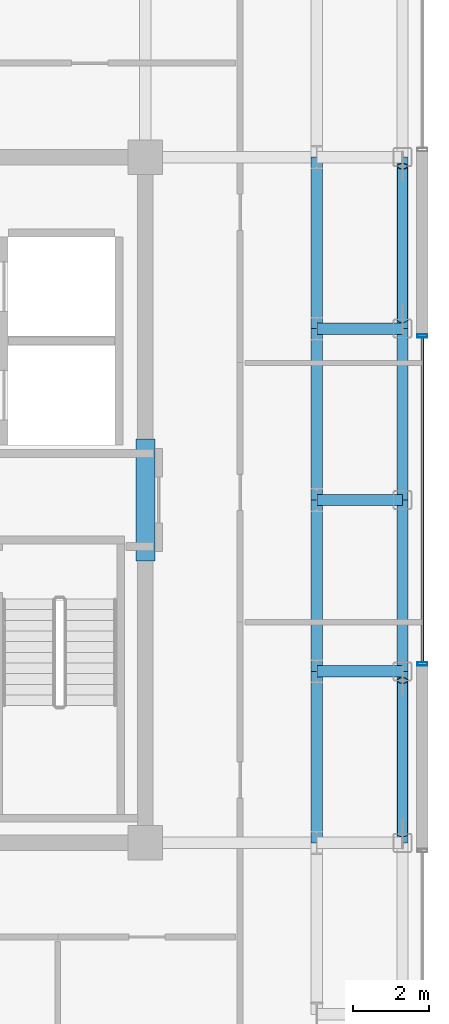
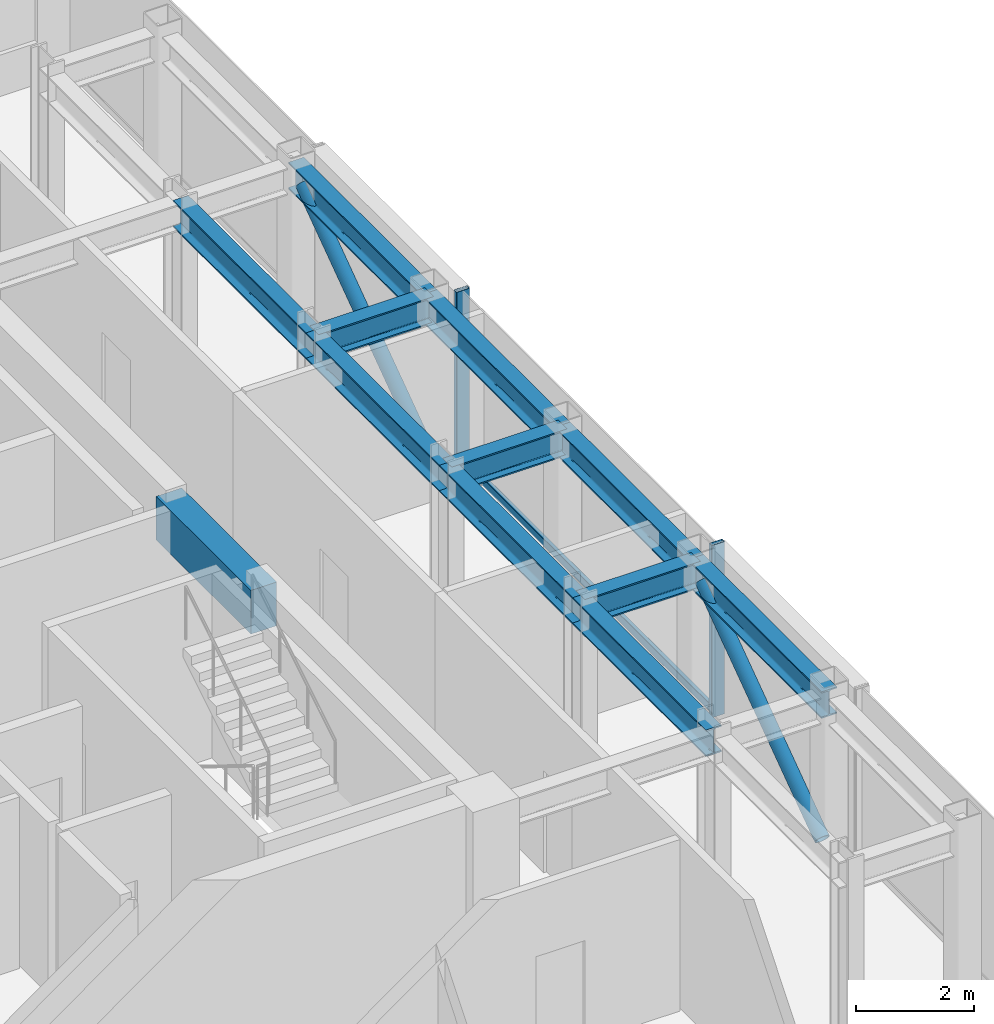
# One storey, part 6 of 16: 12 beams, 5 members, 1 element without a shape of its own.
"""IFC4 building model written with IfcOpenShell, lengths in metres."""

import ifcopenshell
import ifcopenshell.guid

model = None  # the IFC model being written
_history = None  # IfcOwnerHistory: only IFC2X3 demands one
_inside = {}  # id of a spatial element -> (the spatial element, [elements in it])
_under = {}  # id of a project, library or spatial element -> (it, [spatial elements below it])
_declared = {}  # id of a project -> (the project, [libraries it declares])
_typed = {}  # id of a type object -> (the type object, [elements of that type])
_made_of = {}  # id of a material, layer set ... -> (it, [elements and type objects made of it])


def new_model(schema):
    """Start an empty IFC model of exactly this schema.

    Asked for "IFC4X3", IfcOpenShell would pick the latest addendum, in which some entities
    have other attributes; the version numbers below select the first issue.
    IFC2X3 requires an IfcOwnerHistory on every rooted entity: one is made here for all.
    """
    global model, _history
    if schema == "IFC4X3":
        model = ifcopenshell.file(schema_version=(4, 3, 0, 0))
    else:
        model = ifcopenshell.file(schema=schema)
    _inside.clear()
    _under.clear()
    _declared.clear()
    _typed.clear()
    _made_of.clear()
    _history = None
    if model.schema == "IFC2X3":
        org = make("IfcOrganization", Name="unknown")
        user = make(
            "IfcPersonAndOrganization",
            ThePerson=make("IfcPerson", FamilyName="unknown"),
            TheOrganization=org,
        )
        app = make(
            "IfcApplication",
            ApplicationDeveloper=org,
            Version="unknown",
            ApplicationFullName="unknown",
            ApplicationIdentifier="unknown",
        )
        _history = make(
            "IfcOwnerHistory",
            OwningUser=user,
            OwningApplication=app,
            ChangeAction="ADDED",
            CreationDate=0,
        )
    return model


def make(cls, **values):
    """One entity of the class cls with the attributes given. An attribute that is None is left unset."""
    return model.create_entity(
        cls, **{name: value for name, value in values.items() if value is not None}
    )


def rooted(cls, **values):
    """An entity with a GlobalId (a new one), such as an element, a storey or a relation."""
    return make(cls, GlobalId=ifcopenshell.guid.new(), OwnerHistory=_history, **values)


def si_unit(unit_type, name, prefix=None):
    """IfcSIUnit, for example si_unit("LENGTHUNIT", "METRE", prefix="MILLI")."""
    return make("IfcSIUnit", UnitType=unit_type, Prefix=prefix, Name=name)


def assignment(units):
    """IfcUnitAssignment: the units of a project."""
    return None if units is None else make("IfcUnitAssignment", Units=units)


def point(xyz):
    """IfcCartesianPoint."""
    return None if xyz is None else make("IfcCartesianPoint", Coordinates=xyz)


def direction(xyz):
    """IfcDirection."""
    return None if xyz is None else make("IfcDirection", DirectionRatios=xyz)


def frame(location, z_axis=None, x_axis=None):
    """IfcAxis2Placement3D, a coordinate frame: its origin and axes. An axis left out is left unset."""
    return make(
        "IfcAxis2Placement3D",
        Location=point(location),
        Axis=direction(z_axis),
        RefDirection=direction(x_axis),
    )


def frame_2d(location, x_axis=None):
    """IfcAxis2Placement2D, a coordinate frame in the plane: its origin and x axis."""
    return make(
        "IfcAxis2Placement2D", Location=point(location), RefDirection=direction(x_axis)
    )


def origin():
    """The frame at (0, 0, 0) with its axes left unset."""
    return frame((0.0, 0.0, 0.0))


def origin_2d():
    """The frame at (0, 0) in the plane with its x axis left unset."""
    return frame_2d((0.0, 0.0))


def place(relative_to, where):
    """IfcLocalPlacement: puts the frame where relative to a parent placement (None: the world)."""
    return make(
        "IfcLocalPlacement", PlacementRelTo=relative_to, RelativePlacement=where
    )


def context(
    kind, dimensions, precision=None, world=None, true_north=None, identifier=None
):
    """IfcGeometricRepresentationContext, for example the 3D "Model" context."""
    return make(
        "IfcGeometricRepresentationContext",
        ContextIdentifier=identifier,
        ContextType=kind,
        CoordinateSpaceDimension=dimensions,
        Precision=precision,
        WorldCoordinateSystem=world,
        TrueNorth=true_north,
    )


def subcontext(parent, identifier, kind, view, scale=None):
    """IfcGeometricRepresentationSubContext, for example "Body" below "Model"."""
    return make(
        "IfcGeometricRepresentationSubContext",
        ContextIdentifier=identifier,
        ContextType=kind,
        ParentContext=parent,
        TargetScale=scale,
        TargetView=view,
    )


def project(units=None, contexts=None):
    """IfcProject with its units and contexts."""
    return rooted(
        "IfcProject",
        Name="project",
        RepresentationContexts=contexts,
        UnitsInContext=assignment(units),
    )


def spatial(cls, under=None, at=None, **own):
    """A site, building, storey or space (cls), placed at a placement, below another one or the project."""
    s = rooted(cls, ObjectPlacement=at, **own)
    if under is not None:
        _under.setdefault(under.id(), (under, []))[1].append(s)
    return s


def profile(cls, at=None, kind="AREA", **sizes):
    """A parametric profile (cls). Its sizes go by their IFC names, for example OverallWidth=200.0."""
    return make(cls, ProfileType=kind, Position=at, **sizes)


def rectangle(**sizes):
    """IfcRectangleProfileDef."""
    return profile("IfcRectangleProfileDef", **sizes)


def hollow_rectangle(**sizes):
    """IfcRectangleHollowProfileDef."""
    return profile("IfcRectangleHollowProfileDef", **sizes)


def hollow_circle(**sizes):
    """IfcCircleHollowProfileDef."""
    return profile("IfcCircleHollowProfileDef", **sizes)


def i_section(**sizes):
    """IfcIShapeProfileDef."""
    return profile("IfcIShapeProfileDef", **sizes)


def extrude(swept, where, along, depth):
    """IfcExtrudedAreaSolid: the profile swept, set in the frame where, extruded along a direction by depth."""
    return make(
        "IfcExtrudedAreaSolid",
        SweptArea=swept,
        Position=where,
        ExtrudedDirection=direction(along),
        Depth=depth,
    )


def shape(context_of_items, identifier, shape_type, items):
    """IfcShapeRepresentation: the items that make up one representation, for example the "Body"."""
    return make(
        "IfcShapeRepresentation",
        ContextOfItems=context_of_items,
        RepresentationIdentifier=identifier,
        RepresentationType=shape_type,
        Items=items,
    )


def source(mapping_origin, context_of_items, identifier, shape_type, items):
    """IfcRepresentationMap: a shape defined once, which mapped items show again and again."""
    return make(
        "IfcRepresentationMap",
        MappingOrigin=mapping_origin,
        MappedRepresentation=shape(context_of_items, identifier, shape_type, items),
    )


def transform(
    local_origin,
    x_axis=None,
    y_axis=None,
    z_axis=None,
    scale=None,
    scale2=None,
    scale3=None,
    uniform=True,
):
    """IfcCartesianTransformationOperator3D, or its non-uniform kind. x_axis, y_axis, z_axis: its Axis1, 2, 3."""
    if uniform:
        return make(
            "IfcCartesianTransformationOperator3D",
            Axis1=direction(x_axis),
            Axis2=direction(y_axis),
            LocalOrigin=point(local_origin),
            Scale=scale,
            Axis3=direction(z_axis),
        )
    return make(
        "IfcCartesianTransformationOperator3DnonUniform",
        Axis1=direction(x_axis),
        Axis2=direction(y_axis),
        LocalOrigin=point(local_origin),
        Scale=scale,
        Axis3=direction(z_axis),
        Scale2=scale2,
        Scale3=scale3,
    )


def mapped(mapping_source, mapping_target):
    """IfcMappedItem: shows the shape of a source again, moved by a transform."""
    return make(
        "IfcMappedItem", MappingSource=mapping_source, MappingTarget=mapping_target
    )


def material(Name=None, Category=None):
    """IfcMaterial."""
    return make("IfcMaterial", Name=Name, Category=Category)


def layer(
    of_material, thickness, ventilated=None, Name=None, Category=None, Priority=None
):
    """IfcMaterialLayer: one layer of a wall or slab, of a material (None: an air gap)."""
    return make(
        "IfcMaterialLayer",
        Material=of_material,
        LayerThickness=thickness,
        IsVentilated=ventilated,
        Name=Name,
        Category=Category,
        Priority=Priority,
    )


def layer_set(layers, Name=None):
    """IfcMaterialLayerSet."""
    return make("IfcMaterialLayerSet", MaterialLayers=layers, LayerSetName=Name)


def material_profile(
    of_material, cross_section, Name=None, Category=None, Priority=None
):
    """IfcMaterialProfile: a cross section and its material."""
    return make(
        "IfcMaterialProfile",
        Name=Name,
        Material=of_material,
        Profile=cross_section,
        Priority=Priority,
        Category=Category,
    )


def profile_set(profiles, Name=None, composite=None):
    """IfcMaterialProfileSet."""
    return make(
        "IfcMaterialProfileSet",
        Name=Name,
        MaterialProfiles=profiles,
        CompositeProfile=composite,
    )


def made_of(thing, what):
    """Note that an element or type object is made of a material, layer set ...; save() writes the relation."""
    if what is not None:
        _made_of.setdefault(what.id(), (what, []))[1].append(thing)
    return thing


def type_object(cls, material=None, **own):
    """A type object (cls), such as IfcWallType, which elements share."""
    return made_of(rooted(cls, **own), material)


def element(
    cls,
    number,
    at=None,
    inside=None,
    cuts=None,
    type_object=None,
    material=None,
    context=None,
    identifier="Body",
    shape_type=None,
    held_by="IfcProductDefinitionShape",
    body=None,
    shapes=None,
    **own,
):
    """One element of the class cls, such as IfcWall. Its Tag is "e" and its number.

    at: its placement. inside: the storey or other place that contains it. cuts: it is an
    opening in that element (IfcRelVoidsElement). A single representation is given by context,
    identifier, shape_type and body (its items); several are given by shapes. held_by: the class
    of the entity that holds the representations. save() writes the other relations.
    """
    e = rooted(cls, Tag="e%d" % number, ObjectPlacement=at, **own)
    if body is not None:
        shapes = [shape(context, identifier, shape_type, body)]
    if shapes is not None:
        e.Representation = make(held_by, Representations=shapes)
    if inside is not None:
        _inside.setdefault(inside.id(), (inside, []))[1].append(e)
    if cuts is not None:
        rooted(
            "IfcRelVoidsElement", RelatingBuildingElement=cuts, RelatedOpeningElement=e
        )
    if type_object is not None:
        _typed.setdefault(type_object.id(), (type_object, []))[1].append(e)
    return made_of(e, material)


def aggregate(whole, parts):
    """IfcRelAggregates: a whole, such as a stair, and the parts it consists of."""
    return rooted("IfcRelAggregates", RelatingObject=whole, RelatedObjects=parts)


def save(model, path):
    """Write the relations noted so far, then the file.

    IfcRelAggregates (storeys below a building ...), IfcRelContainedInSpatialStructure (elements
    in a storey), IfcRelDefinesByType, IfcRelAssociatesMaterial and IfcRelDeclares: one each for
    every whole, place, type object, material and project.
    """
    for whole, parts in _under.values():
        aggregate(whole, parts)
    for where, things in _inside.values():
        rooted(
            "IfcRelContainedInSpatialStructure",
            RelatedElements=things,
            RelatingStructure=where,
        )
    for kind, things in _typed.values():
        rooted("IfcRelDefinesByType", RelatedObjects=things, RelatingType=kind)
    for what, things in _made_of.values():
        rooted("IfcRelAssociatesMaterial", RelatedObjects=things, RelatingMaterial=what)
    for by, libraries in _declared.values():
        rooted("IfcRelDeclares", RelatingContext=by, RelatedDefinitions=libraries)
    model.write(path)


model = new_model("IFC4")

# Units and contexts
model_context = context("Model", 3, precision=1e-05, world=origin(), true_north=direction((0.0, 1.0)))
body_context = subcontext(model_context, "Body", "Model", "MODEL_VIEW")
ifc_project = project(units=[si_unit("LENGTHUNIT", "METRE"), si_unit("AREAUNIT", "SQUARE_METRE"), si_unit("VOLUMEUNIT", "CUBIC_METRE"), si_unit("PLANEANGLEUNIT", "RADIAN"), si_unit("MASSUNIT", "GRAM", prefix="KILO")], contexts=[model_context])

# Site, building, storey
site_placement = place(None, origin())
site = spatial("IfcSite", under=ifc_project, at=site_placement, CompositionType="ELEMENT")
building_placement = place(site_placement, origin())
building = spatial("IfcBuilding", under=site, at=building_placement, Name="Nefas-Gora Pilgrimage Tower", CompositionType="ELEMENT")
storey_placement = place(building_placement, frame((0.0, 0.0, 333.800048828125)))
storey = spatial("IfcBuildingStorey", under=building, at=storey_placement, Name="L84", CompositionType="ELEMENT", Elevation=333.800048828125)

# Beam
ifc_material_1 = material(Name="Concrete C50/60", Category="concrete")
ifc_material_profile_1 = material_profile(ifc_material_1, rectangle(XDim=0.5, YDim=0.89990234375, at=origin_2d()), Name="RC 500x900")
ifc_profile_set_1 = profile_set([ifc_material_profile_1], Name="Concrete C50/60")
beam_type_1 = type_object("IfcBeamType", Name="BM-LIN-RC900", PredefinedType="LINTEL", material=ifc_profile_set_1)
shared_shape_1 = source(origin(), body_context, "Body", "SweptSolid", [
    extrude(rectangle(XDim=0.5, YDim=0.89990234375, at=origin_2d()), origin(), (0.0, 0.0, 1.0), 3.2001953125),
])
beam_placement = place(storey_placement, frame((11.25, -1.60009765625, 3.099853515625), z_axis=(0.0, 1.0, 0.0), x_axis=(-1.0, 0.0, 0.0)))
element("IfcBeam", 1, at=beam_placement, inside=storey, type_object=beam_type_1, Name="L84 Core Coupling Lintel Beam E", PredefinedType="LINTEL", context=body_context, shape_type="MappedRepresentation", body=[
    mapped(shared_shape_1, transform((0.0, 0.0, 0.0), x_axis=(1.0, 0.0, 0.0), y_axis=(0.0, 1.0, 0.0), z_axis=(0.0, 0.0, 1.0), scale=1.0)),
])

# Members
ifc_material_2 = material(Name="Steel S355", Category="steel")
ifc_material_profile_2 = material_profile(ifc_material_2, hollow_circle(Radius=0.136474609375, WallThickness=0.01611328125, at=origin_2d()), Name="CHS 273x16")
ifc_profile_set_2 = profile_set([ifc_material_profile_2], Name="Steel S355")
member_type_1 = type_object("IfcMemberType", Name="MEM-TUBE-273", PredefinedType="BRACE", material=ifc_profile_set_2)
shared_shape_2 = source(origin(), body_context, "Body", "SweptSolid", [
    extrude(hollow_circle(Radius=0.136474609375, WallThickness=0.01611328125, at=origin_2d()), origin(), (0.0, 0.0, 1.0), 4.947998046875),
])
for number, where, z_axis, x_axis, name in (
    (2, (18.0, -8.761962890625, 0.3203125), (0.0, 0.813239767156, 0.581928759485), (-1.0, 0.0, 0.0), "L84 Perimeter Tube Diagonal Brace E1"),
    (3, (18.0, 4.738037109375, 0.3203125), (0.0, 0.813239767156, 0.581928759485), (-1.0, 0.0, 0.0), "L84 Perimeter Tube Diagonal Brace E2"),
):
    element("IfcMember", number, at=place(storey_placement, frame(where, z_axis=z_axis, x_axis=x_axis)), inside=storey, type_object=member_type_1, Name=name, PredefinedType="BRACE", context=body_context, shape_type="MappedRepresentation", body=[
        mapped(shared_shape_2, transform((0.0, 0.0, 0.0), x_axis=(1.0, 0.0, 0.0), y_axis=(0.0, 1.0, 0.0), z_axis=(0.0, 0.0, 1.0), scale=1.0)),
    ])

# Beams
ifc_material_profile_3 = material_profile(ifc_material_2, i_section(OverallWidth=0.300048828125, OverallDepth=0.550048828125, WebThickness=0.014892578125, FlangeThickness=0.029052734375, FilletRadius=0.027099609375, at=origin_2d()), Name="HEB 550")
ifc_profile_set_3 = profile_set([ifc_material_profile_3], Name="Steel S355")
beam_type_2 = type_object("IfcBeamType", Name="BM-SPN-HEB400", PredefinedType="SPANDREL", material=ifc_profile_set_3)
shared_shape_3 = source(origin(), body_context, "Body", "SweptSolid", [
    extrude(i_section(OverallWidth=0.300048828125, OverallDepth=0.550048828125, WebThickness=0.014892578125, FlangeThickness=0.029052734375, FilletRadius=0.027099609375, at=origin_2d()), origin(), (0.0, 0.0, 1.0), 4.5),
])
for number, where, z_axis, x_axis, name in (
    (4, (18.0, -9.0, 3.27490234375), (0.0, 1.0, 0.0), (-1.0, 0.0, 0.0), "L84 SP-04 beam"),
    (5, (18.0, -4.5, 3.27490234375), (0.0, 1.0, 0.0), (-1.0, 0.0, 0.0), "L84 SP-04 beam"),
    (6, (18.0, 0.0, 3.27490234375), (0.0, 1.0, 0.0), (-1.0, 0.0, 0.0), "L84 SP-04 beam"),
    (7, (18.0, 4.5, 3.27490234375), (0.0, 1.0, 0.0), (-1.0, 0.0, 0.0), "L84 SP-04 beam"),
):
    element("IfcBeam", number, at=place(storey_placement, frame(where, z_axis=z_axis, x_axis=x_axis)), inside=storey, type_object=beam_type_2, Name=name, PredefinedType="SPANDREL", context=body_context, shape_type="MappedRepresentation", body=[
        mapped(shared_shape_3, transform((0.0, 0.0, 0.0), x_axis=(1.0, 0.0, 0.0), y_axis=(0.0, 1.0, 0.0), z_axis=(0.0, 0.0, 1.0), scale=1.0)),
    ])
ifc_material_profile_4 = material_profile(ifc_material_2, i_section(OverallWidth=0.300048828125, OverallDepth=0.550048828125, WebThickness=0.014892578125, FlangeThickness=0.029052734375, FilletRadius=0.027099609375, at=origin_2d()), Name="HEB 550")
ifc_profile_set_4 = profile_set([ifc_material_profile_4], Name="Steel S355")
beam_type_3 = type_object("IfcBeamType", Name="BM-GIR-HEB550", PredefinedType="BEAM", material=ifc_profile_set_4)
shared_shape_4 = source(origin(), body_context, "Body", "SweptSolid", [
    extrude(i_section(OverallWidth=0.300048828125, OverallDepth=0.550048828125, WebThickness=0.014892578125, FlangeThickness=0.029052734375, FilletRadius=0.027099609375, at=origin_2d()), origin(), (0.0, 0.0, 1.0), 4.5),
])
for number, where, z_axis, x_axis, name in (
    (8, (15.75, -9.0, 3.27490234375), (0.0, 1.0, 0.0), (-1.0, 0.0, 0.0), "L84 G-05 beam"),
    (9, (15.75, -4.5, 3.27490234375), (0.0, 1.0, 0.0), (-1.0, 0.0, 0.0), "L84 G-05 beam"),
    (10, (15.75, 0.0, 3.27490234375), (0.0, 1.0, 0.0), (-1.0, 0.0, 0.0), "L84 G-05 beam"),
    (11, (15.75, 4.5, 3.27490234375), (0.0, 1.0, 0.0), (-1.0, 0.0, 0.0), "L84 G-05 beam"),
):
    element("IfcBeam", number, at=place(storey_placement, frame(where, z_axis=z_axis, x_axis=x_axis)), inside=storey, type_object=beam_type_3, Name=name, PredefinedType="BEAM", context=body_context, shape_type="MappedRepresentation", body=[
        mapped(shared_shape_4, transform((0.0, 0.0, 0.0), x_axis=(1.0, 0.0, 0.0), y_axis=(0.0, 1.0, 0.0), z_axis=(0.0, 0.0, 1.0), scale=1.0)),
    ])
shared_shape_5 = source(origin(), body_context, "Body", "SweptSolid", [
    extrude(i_section(OverallWidth=0.300048828125, OverallDepth=0.550048828125, WebThickness=0.014892578125, FlangeThickness=0.029052734375, FilletRadius=0.027099609375, at=origin_2d()), origin(), (0.0, 0.0, 1.0), 2.25),
])
for number, where, z_axis, x_axis, name in (
    (12, (15.75, -4.5, 3.27490234375), (1.0, 0.0, 0.0), (0.0, 1.0, 0.0), "L84 G-05 beam"),
    (13, (15.75, 0.0, 3.27490234375), (1.0, 0.0, 0.0), (0.0, 1.0, 0.0), "L84 G-05 beam"),
    (14, (15.75, 4.5, 3.27490234375), (1.0, 0.0, 0.0), (0.0, 1.0, 0.0), "L84 G-05 beam"),
):
    element("IfcBeam", number, at=place(storey_placement, frame(where, z_axis=z_axis, x_axis=x_axis)), inside=storey, type_object=beam_type_3, Name=name, PredefinedType="BEAM", context=body_context, shape_type="MappedRepresentation", body=[
        mapped(shared_shape_5, transform((0.0, 0.0, 0.0), x_axis=(1.0, 0.0, 0.0), y_axis=(0.0, 1.0, 0.0), z_axis=(0.0, 0.0, 1.0), scale=1.0)),
    ])

# Curtain wall, members
ifc_material_3 = material(Name="Dark ceramic-fritted solar-control aluminium-glass curtain wall", Category="aluminium")
ifc_layer = layer(ifc_material_3, 0.219970703125)
ifc_layer_set = layer_set([ifc_layer], Name="Dark ceramic-fritted solar-control aluminium-glass curtain wall")
curtain_wall_type = type_object("IfcCurtainWallType", Name="CW-SYS-4", PredefinedType="NOTDEFINED", material=ifc_layer_set)
curtain_wall_placement = place(storey_placement, origin())
curtain_wall = element("IfcCurtainWall", 15, at=curtain_wall_placement, inside=storey, type_object=curtain_wall_type, Name="L84 Unitised Curtain Wall CW4", PredefinedType="NOTDEFINED")
ifc_material_4 = material(Name="Anodised architectural aluminium", Category="aluminium")
ifc_material_profile_5 = material_profile(ifc_material_4, hollow_rectangle(XDim=0.080078125, YDim=0.159912109375, WallThickness=0.00439453125, InnerFilletRadius=0.00439453125, OuterFilletRadius=0.009033203125, at=origin_2d()), Name="ALU TRANSOM 80x160")
ifc_profile_set_5 = profile_set([ifc_material_profile_5], Name="Anodised architectural aluminium")
member_type_2 = type_object("IfcMemberType", Name="CWM-TRN-4", PredefinedType="USERDEFINED", material=ifc_profile_set_5)
shared_shape_6 = source(origin(), body_context, "Body", "SweptSolid", [
    extrude(hollow_rectangle(XDim=0.080078125, YDim=0.159912109375, WallThickness=0.00439453125, InnerFilletRadius=0.00439453125, OuterFilletRadius=0.009033203125, at=origin_2d()), origin(), (0.0, 0.0, 1.0), 8.52001953125),
])
member_1_placement = place(storey_placement, frame((18.52001953125, -4.260009765625, 0.050048828125), z_axis=(0.0, 1.0, 0.0), x_axis=(-1.0, 0.0, 0.0)))
member_1 = element("IfcMember", 16, at=member_1_placement, type_object=member_type_2, Name="CW4 Spandrel Transom", ObjectType="TRANSOM", PredefinedType="USERDEFINED", context=body_context, shape_type="MappedRepresentation", body=[
    mapped(shared_shape_6, transform((0.0, 0.0, 0.0), x_axis=(1.0, 0.0, 0.0), y_axis=(0.0, 1.0, 0.0), z_axis=(0.0, 0.0, 1.0), scale=1.0)),
])
ifc_material_profile_6 = material_profile(ifc_material_4, hollow_rectangle(XDim=0.090087890625, YDim=0.260009765625, WallThickness=0.006103515625, InnerFilletRadius=0.006103515625, OuterFilletRadius=0.011962890625, at=origin_2d()), Name="ALU MULLION 90x260")
ifc_profile_set_6 = profile_set([ifc_material_profile_6], Name="Anodised architectural aluminium")
member_type_3 = type_object("IfcMemberType", Name="CWM-MUL-4", PredefinedType="MULLION", material=ifc_profile_set_6)
shared_shape_7 = source(origin(), body_context, "Body", "SweptSolid", [
    extrude(hollow_rectangle(XDim=0.090087890625, YDim=0.260009765625, WallThickness=0.006103515625, InnerFilletRadius=0.006103515625, OuterFilletRadius=0.011962890625, at=origin_2d()), origin(), (0.0, 0.0, 1.0), 3.550048828125),
])
member_2_placement = place(storey_placement, frame((18.52001953125, -4.304931640625, 0.0), z_axis=(0.0, 0.0, 1.0), x_axis=(0.0, 1.0, 0.0)))
member_2 = element("IfcMember", 17, at=member_2_placement, type_object=member_type_3, Name="CW4 Mullion 1", PredefinedType="MULLION", context=body_context, shape_type="MappedRepresentation", body=[
    mapped(shared_shape_7, transform((0.0, 0.0, 0.0), x_axis=(1.0, 0.0, 0.0), y_axis=(0.0, 1.0, 0.0), z_axis=(0.0, 0.0, 1.0), scale=1.0)),
])
member_3_placement = place(storey_placement, frame((18.52001953125, 4.304931640625, 0.0), z_axis=(0.0, 0.0, 1.0), x_axis=(0.0, 1.0, 0.0)))
member_3 = element("IfcMember", 18, at=member_3_placement, type_object=member_type_3, Name="CW4 Mullion 2", PredefinedType="MULLION", context=body_context, shape_type="MappedRepresentation", body=[
    mapped(shared_shape_7, transform((0.0, 0.0, 0.0), x_axis=(1.0, 0.0, 0.0), y_axis=(0.0, 1.0, 0.0), z_axis=(0.0, 0.0, 1.0), scale=1.0)),
])
aggregate(curtain_wall, [member_2, member_3, member_1])

save(model, "model.ifc")
